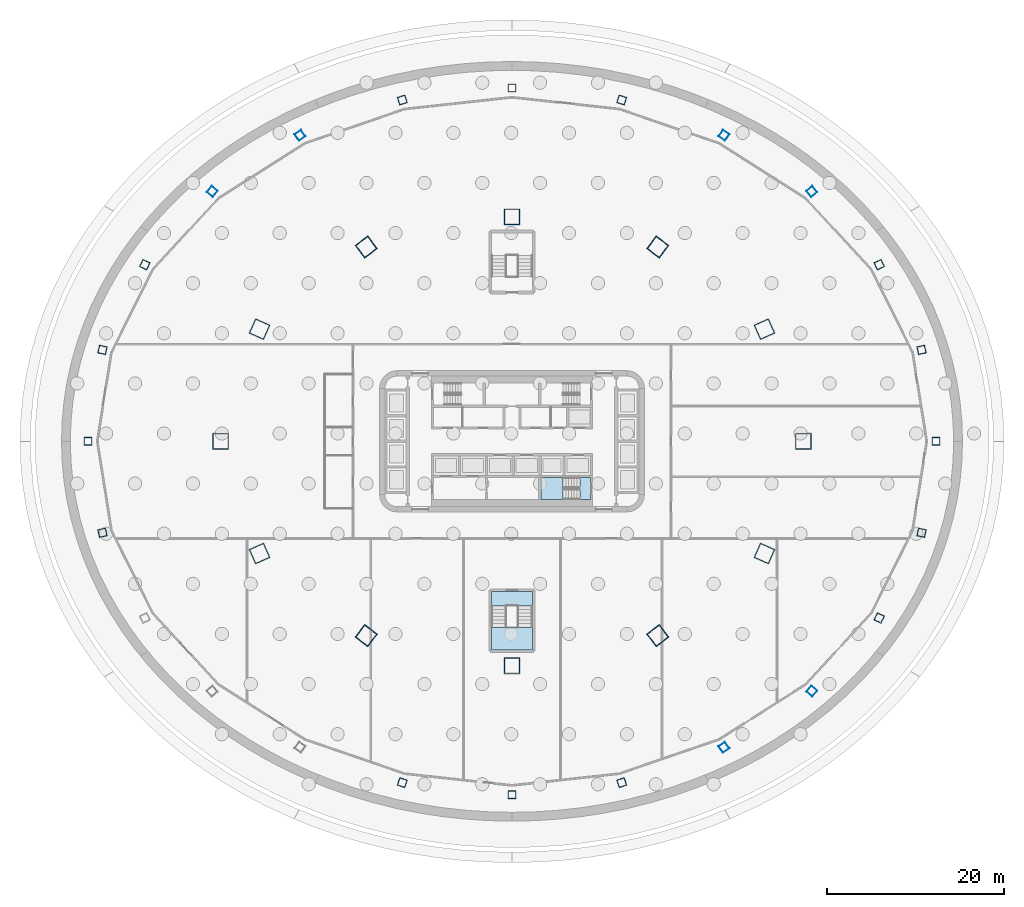
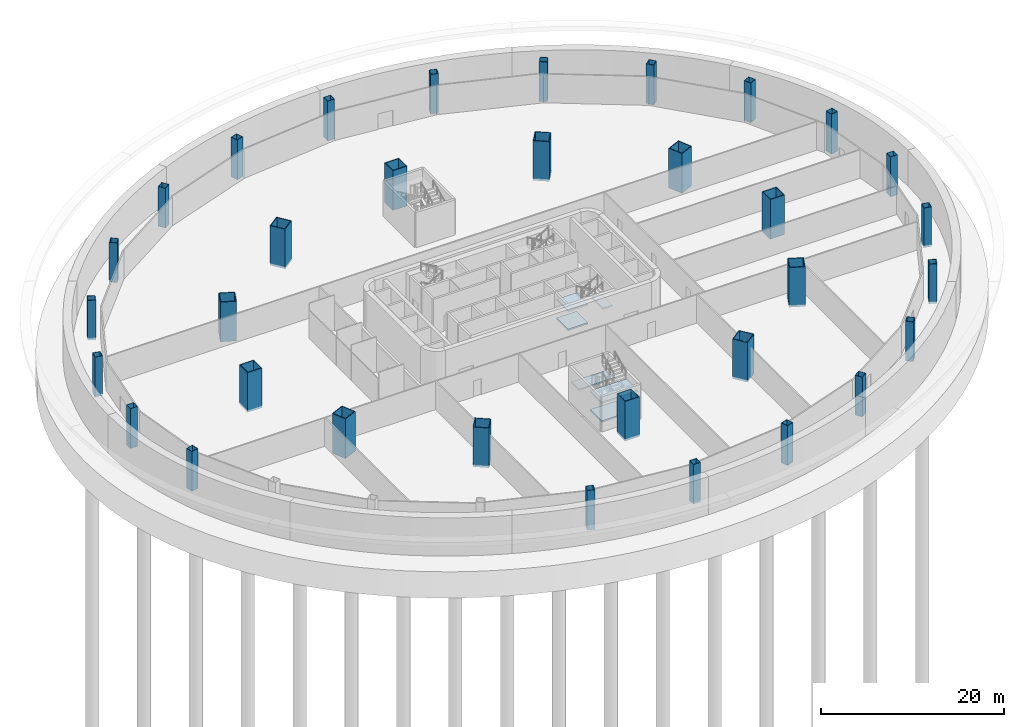
# One storey, part 3 of 19: 33 columns, 6 slabs, 2 elements without a shape of their own.
"""IFC4 building model written with IfcOpenShell, lengths in metres."""

from ifc_helpers import new_model, si_unit, direction, frame, origin, origin_2d, place, context, subcontext, project, spatial, polyline, hollow_rectangle, outline, extrude, material, layer, layer_set, material_profile, profile_set, type_object, element, aggregate, save


model = new_model("IFC4")

# Units and contexts
model_context = context("Model", 3, precision=1e-05, world=origin(), true_north=direction((0.0, 1.0)))
body_context = subcontext(model_context, "Body", "Model", "MODEL_VIEW")
ifc_project = project(units=[si_unit("LENGTHUNIT", "METRE"), si_unit("AREAUNIT", "SQUARE_METRE"), si_unit("VOLUMEUNIT", "CUBIC_METRE"), si_unit("PLANEANGLEUNIT", "RADIAN"), si_unit("MASSUNIT", "GRAM", prefix="KILO")], contexts=[model_context])

# Site, building, storey
site_placement = place(None, origin())
site = spatial("IfcSite", under=ifc_project, at=site_placement, CompositionType="ELEMENT")
building_placement = place(site_placement, origin())
building = spatial("IfcBuilding", under=site, at=building_placement, Name="Sahrelin Media Tower", CompositionType="ELEMENT")
storey_placement = place(building_placement, frame((0.0, 0.0, -5.0)))
storey = spatial("IfcBuildingStorey", under=building, at=storey_placement, Name="B1", CompositionType="ELEMENT", Elevation=-5.0)

# Columns
ifc_material_1 = material(Name="Steel S460", Category="steel")
ifc_material_profile_1 = material_profile(ifc_material_1, hollow_rectangle(XDim=1.800048828125, YDim=1.800048828125, WallThickness=0.080078125, at=origin_2d()), Name="Mega column MC1")
ifc_profile_set_1 = profile_set([ifc_material_profile_1], Name="Steel S460")
column_type_1 = type_object("IfcColumnType", Name="Mega column MC1", PredefinedType="COLUMN", material=ifc_profile_set_1)
for number, where, z_axis, x_axis, name in (
    (1, (33.0, 0.0, -0.300048828125), (0.0, 0.0, 1.0), (1.0, 0.0, 0.0), "Mega column MC-00"),
    (2, (28.578857421875, 12.699951171875, -0.300048828125), (0.0, 0.0, 1.0), (0.913831317054, 0.40609398416, 0.0), "Mega column MC-01"),
    (3, (16.5, 21.9970703125, -0.300048828125), (0.0, 0.0, 1.0), (0.600051693363, 0.799961227368, 0.0), "Mega column MC-02"),
    (4, (0.0, 25.39990234375, -0.300048828125), (0.0, 0.0, 1.0), (0.0, 1.0, 0.0), "Mega column MC-03"),
    (5, (-16.5, 21.9970703125, -0.300048828125), (0.0, 0.0, 1.0), (-0.600051693363, 0.799961227368, 0.0), "Mega column MC-04"),
    (6, (-28.578857421875, 12.699951171875, -0.300048828125), (0.0, 0.0, 1.0), (-0.913831317054, 0.40609398416, 0.0), "Mega column MC-05"),
    (7, (-33.0, 0.0, -0.300048828125), (0.0, 0.0, 1.0), (-1.0, 0.0, 0.0), "Mega column MC-06"),
    (8, (-28.578857421875, -12.699951171875, -0.300048828125), (0.0, 0.0, 1.0), (-0.913831317054, -0.40609398416, 0.0), "Mega column MC-07"),
    (9, (-16.5, -21.9970703125, -0.300048828125), (0.0, 0.0, 1.0), (-0.600051693363, -0.799961227368, 0.0), "Mega column MC-08"),
    (10, (0.0, -25.39990234375, -0.300048828125), (0.0, 0.0, 1.0), (0.0, -1.0, 0.0), "Mega column MC-09"),
    (11, (16.5, -21.9970703125, -0.300048828125), (0.0, 0.0, 1.0), (0.600051693363, -0.799961227368, 0.0), "Mega column MC-10"),
    (12, (28.578857421875, -12.699951171875, -0.300048828125), (0.0, 0.0, 1.0), (0.913831317054, -0.40609398416, 0.0), "Mega column MC-11"),
):
    element("IfcColumn", number, at=place(storey_placement, frame(where, z_axis=z_axis, x_axis=x_axis)), inside=storey, type_object=column_type_1, Name=name, PredefinedType="COLUMN", context=body_context, shape_type="SweptSolid", body=[
        extrude(hollow_rectangle(XDim=1.800048828125, YDim=1.800048828125, WallThickness=0.080078125, at=origin_2d()), origin(), (0.0, 0.0, 1.0), 5.300048828125),
    ])
ifc_material_profile_2 = material_profile(ifc_material_1, hollow_rectangle(XDim=0.89990234375, YDim=0.89990234375, WallThickness=0.0400390625, at=origin_2d()), Name="Podium column PC1")
ifc_profile_set_2 = profile_set([ifc_material_profile_2], Name="Steel S460")
column_type_2 = type_object("IfcColumnType", Name="Podium column PC1", PredefinedType="COLUMN", material=ifc_profile_set_2)
for number, where, z_axis, x_axis, name in (
    (13, (48.0, 0.0, -0.300048828125), (0.0, 0.0, 1.0), (1.0, 0.0, 0.0), "Podium column PC-00"),
    (14, (46.364501953125, 10.352783203125, -0.300048828125), (0.0, 0.0, 1.0), (0.975965471253, 0.217925214058, 0.0), "Podium column PC-01"),
    (15, (41.569091796875, 20.0, -0.300048828125), (0.0, 0.0, 1.0), (0.901126969284, 0.433555285089, 0.0), "Podium column PC-02"),
    (16, (33.941162109375, 28.2841796875, -0.300048828125), (0.0, 0.0, 1.0), (0.768220956602, 0.640184787259, 0.0), "Podium column PC-03"),
    (17, (24.0, 34.64111328125, -0.300048828125), (0.0, 0.0, 1.0), (0.569494740726, 0.821994975827, 0.0), "Podium column PC-04"),
    (18, (12.42333984375, 38.636962890625, -0.300048828125), (0.0, 0.0, 1.0), (0.306104074477, 0.951998054404, 0.0), "Podium column PC-05"),
    (19, (0.0, 40.0, -0.300048828125), (0.0, 0.0, 1.0), (0.0, 1.0, 0.0), "Podium column PC-06"),
    (20, (-12.42333984375, 38.636962890625, -0.300048828125), (0.0, 0.0, 1.0), (-0.306104074477, 0.951998054404, 0.0), "Podium column PC-07"),
    (21, (-24.0, 34.64111328125, -0.300048828125), (0.0, 0.0, 1.0), (-0.569494740726, 0.821994975827, 0.0), "Podium column PC-08"),
    (22, (-33.941162109375, 28.2841796875, -0.300048828125), (0.0, 0.0, 1.0), (-0.768220956602, 0.640184787259, 0.0), "Podium column PC-09"),
    (23, (-41.569091796875, 20.0, -0.300048828125), (0.0, 0.0, 1.0), (-0.901126969284, 0.433555285089, 0.0), "Podium column PC-10"),
    (24, (-46.364501953125, 10.352783203125, -0.300048828125), (0.0, 0.0, 1.0), (-0.975965471253, 0.217925214058, 0.0), "Podium column PC-11"),
    (25, (-48.0, 0.0, -0.300048828125), (0.0, 0.0, 1.0), (-1.0, 0.0, 0.0), "Podium column PC-12"),
    (26, (-46.364501953125, -10.352783203125, -0.300048828125), (0.0, 0.0, 1.0), (-0.975965471253, -0.217925214058, 0.0), "Podium column PC-13"),
    (27, (-12.42333984375, -38.636962890625, -0.300048828125), (0.0, 0.0, 1.0), (-0.306104074477, -0.951998054404, 0.0), "Podium column PC-17"),
    (28, (0.0, -40.0, -0.300048828125), (0.0, 0.0, 1.0), (0.0, -1.0, 0.0), "Podium column PC-18"),
    (29, (12.42333984375, -38.636962890625, -0.300048828125), (0.0, 0.0, 1.0), (0.306104074477, -0.951998054404, 0.0), "Podium column PC-19"),
    (30, (24.0, -34.64111328125, -0.300048828125), (0.0, 0.0, 1.0), (0.569494740726, -0.821994975827, 0.0), "Podium column PC-20"),
    (31, (33.941162109375, -28.2841796875, -0.300048828125), (0.0, 0.0, 1.0), (0.768220956602, -0.640184787259, 0.0), "Podium column PC-21"),
    (32, (41.569091796875, -20.0, -0.300048828125), (0.0, 0.0, 1.0), (0.901126969284, -0.433555285089, 0.0), "Podium column PC-22"),
    (33, (46.364501953125, -10.352783203125, -0.300048828125), (0.0, 0.0, 1.0), (0.975965471253, -0.217925214058, 0.0), "Podium column PC-23"),
):
    element("IfcColumn", number, at=place(storey_placement, frame(where, z_axis=z_axis, x_axis=x_axis)), inside=storey, type_object=column_type_2, Name=name, PredefinedType="COLUMN", context=body_context, shape_type="SweptSolid", body=[
        extrude(hollow_rectangle(XDim=0.89990234375, YDim=0.89990234375, WallThickness=0.0400390625, at=origin_2d()), origin(), (0.0, 0.0, 1.0), 5.300048828125),
    ])

# Stair, slabs
ifc_material_2 = material(Name="Concrete C40/50", Category="concrete")
stair_type_1 = type_object("IfcStairType", Name="Exit stair 1200", PredefinedType="HALF_TURN_STAIR", material=ifc_material_2)
placement_1 = place(storey_placement, origin())
stair_1 = element("IfcStair", 34, at=placement_1, inside=storey, type_object=stair_type_1, Name="B1 Exit stair ST2", PredefinedType="HALF_TURN_STAIR")
ifc_layer = layer(ifc_material_2, 0.199951171875)
ifc_layer_set = layer_set([ifc_layer], Name="Stair landing 200")
slab_type = type_object("IfcSlabType", Name="Stair landing 200", PredefinedType="LANDING", material=ifc_layer_set)
placement_2 = place(storey_placement, frame((0.0, 0.0, 1.050048828125)))
slab_1 = element("IfcSlab", 35, at=placement_2, type_object=slab_type, Name="ST2 landing 1", PredefinedType="LANDING", context=body_context, shape_type="SweptSolid", body=[
    extrude(outline(polyline([(5.77490234375, -4.10009765625), (3.27490234375, -4.10009765625), (3.27490234375, -6.60009765625), (5.77490234375, -6.60009765625), (5.77490234375, -4.10009765625)])), origin(), (0.0, 0.0, 1.0), 0.199951171875),
])
placement_3 = place(storey_placement, frame((0.0, 0.0, 2.300048828125)))
slab_2 = element("IfcSlab", 36, at=placement_3, type_object=slab_type, Name="ST2 landing 2", PredefinedType="LANDING", context=body_context, shape_type="SweptSolid", body=[
    extrude(outline(polyline([(8.875, -4.10009765625), (7.675048828125, -4.10009765625), (7.675048828125, -6.60009765625), (8.875, -6.60009765625), (8.875, -4.10009765625)])), origin(), (0.0, 0.0, 1.0), 0.199951171875),
])
placement_4 = place(storey_placement, frame((0.0, 0.0, 3.550048828125)))
slab_3 = element("IfcSlab", 37, at=placement_4, type_object=slab_type, Name="ST2 landing 3", PredefinedType="LANDING", context=body_context, shape_type="SweptSolid", body=[
    extrude(outline(polyline([(5.77490234375, -4.10009765625), (3.27490234375, -4.10009765625), (3.27490234375, -6.60009765625), (5.77490234375, -6.60009765625), (5.77490234375, -4.10009765625)])), origin(), (0.0, 0.0, 1.0), 0.199951171875),
])
aggregate(stair_1, [slab_1, slab_2, slab_3])

stair_type_2 = type_object("IfcStairType", Name="Podium stair 1650", PredefinedType="HALF_TURN_STAIR", material=ifc_material_2)
stair_2 = element("IfcStair", 38, at=placement_1, inside=storey, type_object=stair_type_2, Name="B1 Podium stair BS2", PredefinedType="HALF_TURN_STAIR")
slab_4 = element("IfcSlab", 39, at=placement_2, type_object=slab_type, Name="BS2 landing 1", PredefinedType="LANDING", context=body_context, shape_type="SweptSolid", body=[
    extrude(outline(polyline([(-2.300048828125, -21.050048828125), (-2.300048828125, -23.60009765625), (2.300048828125, -23.60009765625), (2.300048828125, -21.050048828125), (-2.300048828125, -21.050048828125)])), origin(), (0.0, 0.0, 1.0), 0.199951171875),
])
slab_5 = element("IfcSlab", 40, at=placement_3, type_object=slab_type, Name="BS2 landing 2", PredefinedType="LANDING", context=body_context, shape_type="SweptSolid", body=[
    extrude(outline(polyline([(-2.300048828125, -17.0), (-2.300048828125, -18.64990234375), (2.300048828125, -18.64990234375), (2.300048828125, -17.0), (-2.300048828125, -17.0)])), origin(), (0.0, 0.0, 1.0), 0.199951171875),
])
slab_6 = element("IfcSlab", 41, at=placement_4, type_object=slab_type, Name="BS2 landing 3", PredefinedType="LANDING", context=body_context, shape_type="SweptSolid", body=[
    extrude(outline(polyline([(-2.300048828125, -21.050048828125), (-2.300048828125, -23.60009765625), (2.300048828125, -23.60009765625), (2.300048828125, -21.050048828125), (-2.300048828125, -21.050048828125)])), origin(), (0.0, 0.0, 1.0), 0.199951171875),
])
aggregate(stair_2, [slab_4, slab_5, slab_6])

save(model, "model.ifc")
